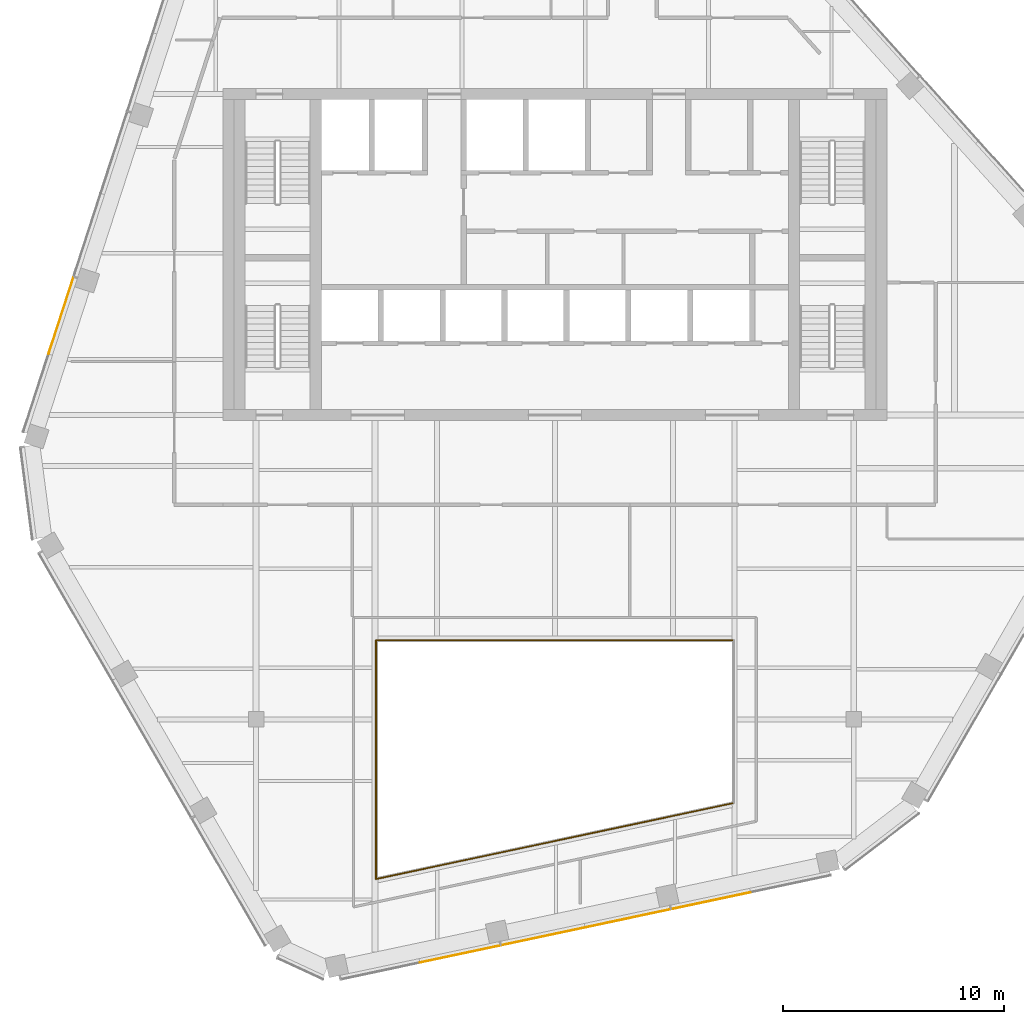
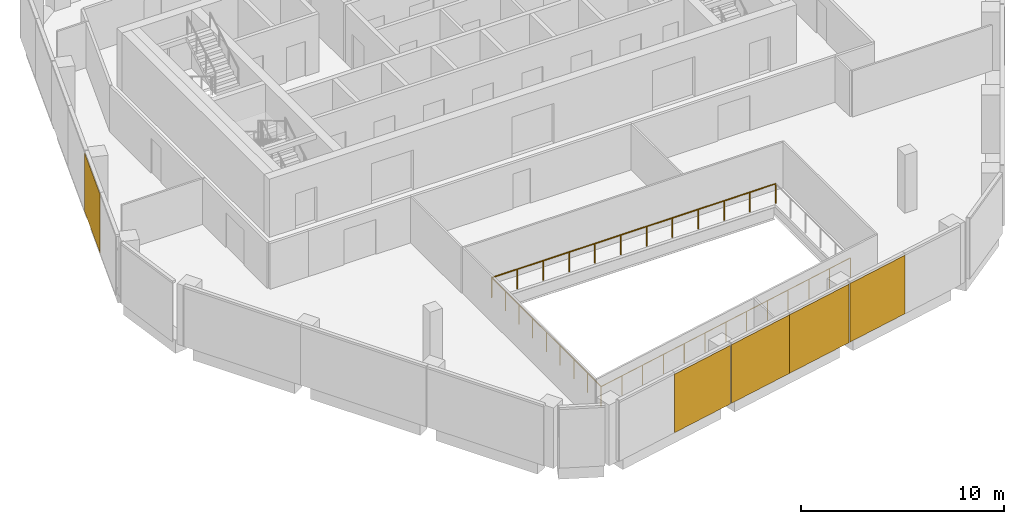
# One storey, part 11 of 15: 5 coverings, 3 railings, 2 elements without a shape of their own.
"""IFC4 building model written with IfcOpenShell, lengths in metres."""

from ifc_helpers import new_model, si_unit, direction, frame, origin, origin_2d, place, context, subcontext, project, spatial, rectangle, circle, extrude, material, layer, layer_set, type_object, element, aggregate, save


model = new_model("IFC4")

# Units and contexts
model_context = context("Model", 3, precision=1e-05, world=origin(), true_north=direction((0.0, 1.0)))
body_context = subcontext(model_context, "Body", "Model", "MODEL_VIEW")
ifc_project = project(units=[si_unit("LENGTHUNIT", "METRE"), si_unit("AREAUNIT", "SQUARE_METRE"), si_unit("VOLUMEUNIT", "CUBIC_METRE"), si_unit("PLANEANGLEUNIT", "RADIAN"), si_unit("MASSUNIT", "GRAM", prefix="KILO")], contexts=[model_context])

# Site, building, storey
site_placement = place(None, origin())
site = spatial("IfcSite", under=ifc_project, at=site_placement, CompositionType="ELEMENT")
building_placement = place(site_placement, origin())
building = spatial("IfcBuilding", under=site, at=building_placement, Name="Isthmus Gate Tower", CompositionType="ELEMENT")
storey_placement = place(building_placement, frame((0.0, 0.0, 275.550048828125)))
storey = spatial("IfcBuildingStorey", under=building, at=storey_placement, Name="L70", CompositionType="ELEMENT", Elevation=275.550048828125)

# Railings
ifc_material_1 = material(Name="Laminated toughened glass balustrade with steel rail", Category="steel")
railing_type = type_object("IfcRailingType", Name="ATRIUM GUARD GLASS BALUSTRADE 1200", PredefinedType="GUARDRAIL", material=ifc_material_1)
railing_1_placement = place(storey_placement, frame((-8.080078125, -20.7099609375, 0.0)))
element("IfcRailing", 1, at=railing_1_placement, inside=storey, type_object=railing_type, Name="L70 atrium guard", PredefinedType="GUARDRAIL", context=body_context, shape_type="SweptSolid", body=[
    extrude(circle(Radius=0.02490234375, at=origin_2d()), frame((0.0, 0.0, 1.1748046875), z_axis=(0.0, 1.0, 0.0), x_axis=(-1.0, 0.0, 0.0)), (0.0, 0.0, 1.0), 10.7900390625),
    extrude(circle(Radius=0.02490234375, at=origin_2d()), origin(), (0.0, 0.0, 1.0), 1.14990234375),
    extrude(circle(Radius=0.02490234375, at=origin_2d()), frame((0.0, 1.3486328125, 0.0)), (0.0, 0.0, 1.0), 1.14990234375),
    extrude(circle(Radius=0.02490234375, at=origin_2d()), frame((0.0, 2.697509765625, 0.0)), (0.0, 0.0, 1.0), 1.14990234375),
    extrude(circle(Radius=0.02490234375, at=origin_2d()), frame((0.0, 4.04638671875, 0.0)), (0.0, 0.0, 1.0), 1.14990234375),
    extrude(circle(Radius=0.02490234375, at=origin_2d()), frame((0.0, 5.39501953125, 0.0)), (0.0, 0.0, 1.0), 1.14990234375),
    extrude(circle(Radius=0.02490234375, at=origin_2d()), frame((0.0, 6.74365234375, 0.0)), (0.0, 0.0, 1.0), 1.14990234375),
    extrude(circle(Radius=0.02490234375, at=origin_2d()), frame((0.0, 8.092529296875, 0.0)), (0.0, 0.0, 1.0), 1.14990234375),
    extrude(circle(Radius=0.02490234375, at=origin_2d()), frame((0.0, 9.44140625, 0.0)), (0.0, 0.0, 1.0), 1.14990234375),
    extrude(circle(Radius=0.02490234375, at=origin_2d()), frame((0.0, 10.7900390625, 0.0)), (0.0, 0.0, 1.0), 1.14990234375),
])
railing_2_placement = place(storey_placement, frame((-8.080078125, -9.919921875, 0.0)))
element("IfcRailing", 2, at=railing_2_placement, inside=storey, type_object=railing_type, Name="L70 atrium guard", PredefinedType="GUARDRAIL", context=body_context, shape_type="SweptSolid", body=[
    extrude(circle(Radius=0.02490234375, at=origin_2d()), frame((0.0, 0.0, 1.1748046875), z_axis=(1.0, 0.0, 0.0), x_axis=(0.0, 1.0, 0.0)), (0.0, 0.0, 1.0), 16.16015625),
    extrude(circle(Radius=0.02490234375, at=origin_2d()), origin(), (0.0, 0.0, 1.0), 1.14990234375),
    extrude(circle(Radius=0.02490234375, at=origin_2d()), frame((1.468994140625, 0.0, 0.0)), (0.0, 0.0, 1.0), 1.14990234375),
    extrude(circle(Radius=0.02490234375, at=origin_2d()), frame((2.938232421875, 0.0, 0.0)), (0.0, 0.0, 1.0), 1.14990234375),
    extrude(circle(Radius=0.02490234375, at=origin_2d()), frame((4.4072265625, 0.0, 0.0)), (0.0, 0.0, 1.0), 1.14990234375),
    extrude(circle(Radius=0.02490234375, at=origin_2d()), frame((5.87646484375, 0.0, 0.0)), (0.0, 0.0, 1.0), 1.14990234375),
    extrude(circle(Radius=0.02490234375, at=origin_2d()), frame((7.345458984375, 0.0, 0.0)), (0.0, 0.0, 1.0), 1.14990234375),
    extrude(circle(Radius=0.02490234375, at=origin_2d()), frame((8.814697265625, 0.0, 0.0)), (0.0, 0.0, 1.0), 1.14990234375),
    extrude(circle(Radius=0.02490234375, at=origin_2d()), frame((10.28369140625, 0.0, 0.0)), (0.0, 0.0, 1.0), 1.14990234375),
    extrude(circle(Radius=0.02490234375, at=origin_2d()), frame((11.7529296875, 0.0, 0.0)), (0.0, 0.0, 1.0), 1.14990234375),
    extrude(circle(Radius=0.02490234375, at=origin_2d()), frame((13.221923828125, 0.0, 0.0)), (0.0, 0.0, 1.0), 1.14990234375),
    extrude(circle(Radius=0.02490234375, at=origin_2d()), frame((14.691162109375, 0.0, 0.0)), (0.0, 0.0, 1.0), 1.14990234375),
    extrude(circle(Radius=0.02490234375, at=origin_2d()), frame((16.16015625, 0.0, 0.0)), (0.0, 0.0, 1.0), 1.14990234375),
])
railing_3_placement = place(storey_placement, frame((8.080078125, -17.27490234375, 0.0)))
element("IfcRailing", 3, at=railing_3_placement, inside=storey, type_object=railing_type, Name="L70 atrium guard", PredefinedType="GUARDRAIL", context=body_context, shape_type="SweptSolid", body=[
    extrude(circle(Radius=0.02490234375, at=origin_2d()), frame((0.0, 0.0, 1.1748046875), z_axis=(-0.978146230105, -0.207918139013, 0.0), x_axis=(0.207918139013, -0.978146230105, 0.0)), (0.0, 0.0, 1.0), 16.521240234375),
    extrude(circle(Radius=0.02490234375, at=origin_2d()), origin(), (0.0, 0.0, 1.0), 1.14990234375),
    extrude(circle(Radius=0.02490234375, at=origin_2d()), frame((-1.3466796875, -0.2861328125, 0.0)), (0.0, 0.0, 1.0), 1.14990234375),
    extrude(circle(Radius=0.02490234375, at=origin_2d()), frame((-2.693359375, -0.572509765625, 0.0)), (0.0, 0.0, 1.0), 1.14990234375),
    extrude(circle(Radius=0.02490234375, at=origin_2d()), frame((-4.0400390625, -0.85888671875, 0.0)), (0.0, 0.0, 1.0), 1.14990234375),
    extrude(circle(Radius=0.02490234375, at=origin_2d()), frame((-5.38671875, -1.14501953125, 0.0)), (0.0, 0.0, 1.0), 1.14990234375),
    extrude(circle(Radius=0.02490234375, at=origin_2d()), frame((-6.7333984375, -1.43115234375, 0.0)), (0.0, 0.0, 1.0), 1.14990234375),
    extrude(circle(Radius=0.02490234375, at=origin_2d()), frame((-8.080078125, -1.717529296875, 0.0)), (0.0, 0.0, 1.0), 1.14990234375),
    extrude(circle(Radius=0.02490234375, at=origin_2d()), frame((-9.4267578125, -2.00390625, 0.0)), (0.0, 0.0, 1.0), 1.14990234375),
    extrude(circle(Radius=0.02490234375, at=origin_2d()), frame((-10.7734375, -2.2900390625, 0.0)), (0.0, 0.0, 1.0), 1.14990234375),
    extrude(circle(Radius=0.02490234375, at=origin_2d()), frame((-12.1201171875, -2.576171875, 0.0)), (0.0, 0.0, 1.0), 1.14990234375),
    extrude(circle(Radius=0.02490234375, at=origin_2d()), frame((-13.466796875, -2.862548828125, 0.0)), (0.0, 0.0, 1.0), 1.14990234375),
    extrude(circle(Radius=0.02490234375, at=origin_2d()), frame((-14.8134765625, -3.14892578125, 0.0)), (0.0, 0.0, 1.0), 1.14990234375),
    extrude(circle(Radius=0.02490234375, at=origin_2d()), frame((-16.16015625, -3.43505859375, 0.0)), (0.0, 0.0, 1.0), 1.14990234375),
])

# Curtain wall, covering
ifc_material_2 = material(Name="Aluminium, pale champagne anodised", Category="aluminium")
ifc_layer_1 = layer(ifc_material_2, 0.199951171875)
ifc_layer_set_1 = layer_set([ifc_layer_1], Name="CW-1 UNITISED CURTAIN WALL 200 DEEP")
curtain_wall_type = type_object("IfcCurtainWallType", Name="CW-1 UNITISED CURTAIN WALL 200 DEEP", PredefinedType="NOTDEFINED", material=ifc_layer_set_1)
curtain_wall_1_placement = place(storey_placement, origin())
curtain_wall_1 = element("IfcCurtainWall", 4, at=curtain_wall_1_placement, inside=storey, type_object=curtain_wall_type, Name="CW-1 NW L70", PredefinedType="NOTDEFINED")
ifc_material_3 = material(Name="Aluminium composite panel, pale champagne anodised", Category="aluminium")
ifc_layer_2 = layer(ifc_material_3, 0.031982421875)
ifc_layer_set_2 = layer_set([ifc_layer_2], Name="CW-1 PALE METAL PANEL 32")
covering_type = type_object("IfcCoveringType", Name="CW-1 PALE METAL PANEL 32", PredefinedType="CLADDING", material=ifc_layer_set_2)
covering_1_placement = place(storey_placement, frame((-22.309326171875, 4.737548828125, 0.0), z_axis=(0.0, 0.0, 1.0), x_axis=(-0.309016994375, -0.951056516295, 0.0)))
covering_1 = element("IfcCovering", 5, at=covering_1_placement, type_object=covering_type, Name="CW-1 pale metal panel", PredefinedType="CLADDING", context=body_context, shape_type="SweptSolid", body=[
    extrude(rectangle(XDim=3.643310546875, YDim=0.031982421875, at=origin_2d()), origin(), (0.0, 0.0, 1.0), 3.52001953125),
])
aggregate(curtain_wall_1, [covering_1])

# Curtain wall, coverings
curtain_wall_2_placement = place(storey_placement, origin())
curtain_wall_2 = element("IfcCurtainWall", 6, at=curtain_wall_2_placement, inside=storey, type_object=curtain_wall_type, Name="CW-1 S L70", PredefinedType="NOTDEFINED")
covering_2_placement = place(storey_placement, frame((-4.28515625, -24.098876953125, 0.0), z_axis=(0.0, 0.0, 1.0), x_axis=(0.978147600734, 0.207911690818, 0.0)))
covering_2 = element("IfcCovering", 7, at=covering_2_placement, type_object=covering_type, Name="CW-1 pale metal panel", PredefinedType="CLADDING", context=body_context, shape_type="SweptSolid", body=[
    extrude(rectangle(XDim=3.703369140625, YDim=0.031982421875, at=origin_2d()), origin(), (0.0, 0.0, 1.0), 3.52001953125),
])
covering_3_placement = place(storey_placement, frame((-0.5234375, -23.29931640625, 0.0), z_axis=(0.0, 0.0, 1.0), x_axis=(0.978147600734, 0.207911690818, 0.0)))
covering_3 = element("IfcCovering", 8, at=covering_3_placement, type_object=covering_type, Name="CW-1 pale metal panel", PredefinedType="CLADDING", context=body_context, shape_type="SweptSolid", body=[
    extrude(rectangle(XDim=3.868408203125, YDim=0.031982421875, at=origin_2d()), origin(), (0.0, 0.0, 1.0), 3.52001953125),
])
covering_4_placement = place(storey_placement, frame((3.289794921875, -22.48876953125, 0.0), z_axis=(0.0, 0.0, 1.0), x_axis=(0.978147600734, 0.207911690818, 0.0)))
covering_4 = element("IfcCovering", 9, at=covering_4_placement, type_object=covering_type, Name="CW-1 pale metal panel", PredefinedType="CLADDING", context=body_context, shape_type="SweptSolid", body=[
    extrude(rectangle(XDim=3.928466796875, YDim=0.031982421875, at=origin_2d()), origin(), (0.0, 0.0, 1.0), 3.52001953125),
])
covering_5_placement = place(storey_placement, frame((7.0517578125, -21.689208984375, 0.0), z_axis=(0.0, 0.0, 1.0), x_axis=(0.978147600734, 0.207911690818, 0.0)))
covering_5 = element("IfcCovering", 10, at=covering_5_placement, type_object=covering_type, Name="CW-1 pale metal panel", PredefinedType="CLADDING", context=body_context, shape_type="SweptSolid", body=[
    extrude(rectangle(XDim=3.643310546875, YDim=0.031982421875, at=origin_2d()), origin(), (0.0, 0.0, 1.0), 3.52001953125),
])
aggregate(curtain_wall_2, [covering_2, covering_3, covering_4, covering_5])

save(model, "model.ifc")
